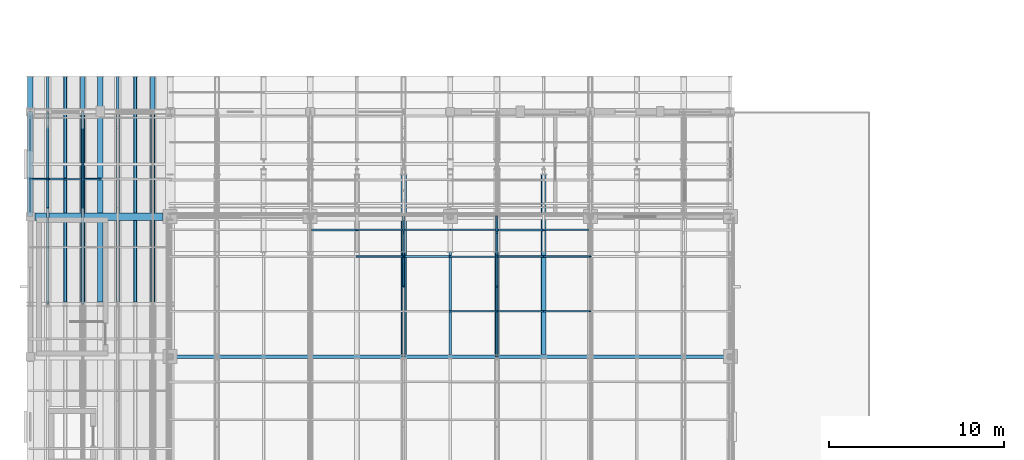
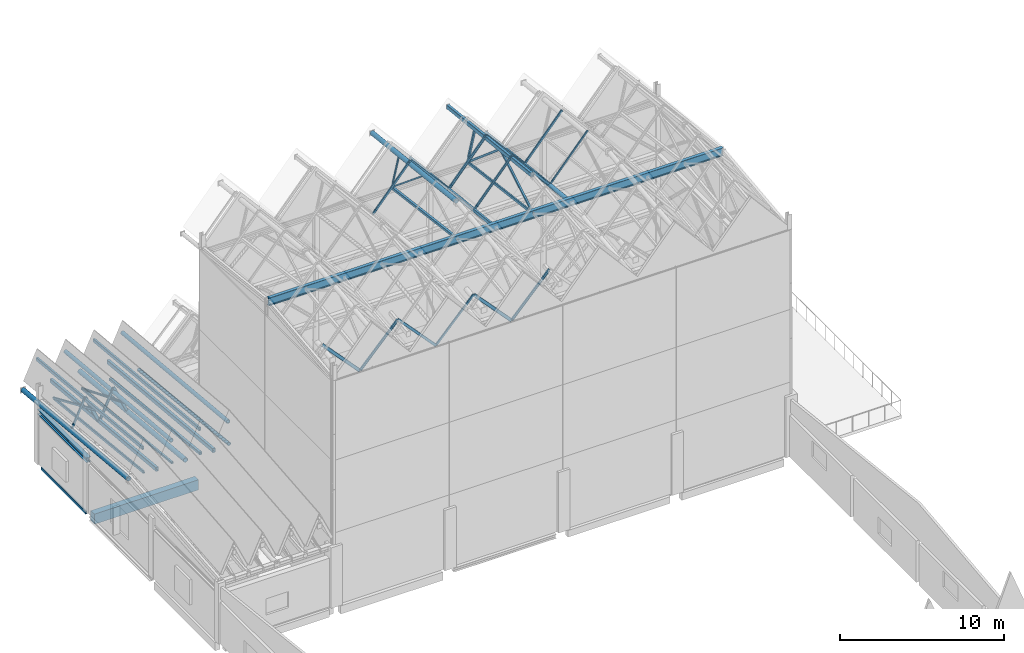
# One storey, part 11 of 48: 31 members, 16 beams.
"""IFC4 building model written with IfcOpenShell, lengths in metres."""

from ifc_helpers import new_model, si_unit, direction, frame, origin, origin_2d, place, context, subcontext, project, spatial, rectangle, hollow_rectangle, hollow_circle, i_section, extrude, material, material_profile, profile_set, type_object, element, save


model = new_model("IFC4")

# Units and contexts
model_context = context("Model", 3, precision=1e-05, world=origin(), true_north=direction((0.0, 1.0)))
body_context = subcontext(model_context, "Body", "Model", "MODEL_VIEW")
ifc_project = project(units=[si_unit("LENGTHUNIT", "METRE"), si_unit("AREAUNIT", "SQUARE_METRE"), si_unit("VOLUMEUNIT", "CUBIC_METRE"), si_unit("PLANEANGLEUNIT", "RADIAN"), si_unit("MASSUNIT", "GRAM", prefix="KILO")], contexts=[model_context])

# Site, building, storey
site_placement = place(None, origin())
site = spatial("IfcSite", under=ifc_project, at=site_placement, CompositionType="ELEMENT")
building_placement = place(site_placement, origin())
building = spatial("IfcBuilding", under=site, at=building_placement, Name="Luwemba Playhouse", CompositionType="ELEMENT")
storey_placement = place(building_placement, frame((0.0, 0.0, 13.800048828125)))
storey = spatial("IfcBuildingStorey", under=building, at=storey_placement, Name="L03", CompositionType="ELEMENT", Elevation=13.800048828125)

# Beams
ifc_material_1 = material(Name="Concrete C40/50", Category="concrete")
ifc_material_profile_1 = material_profile(ifc_material_1, rectangle(XDim=0.449951171875, YDim=0.75, at=origin_2d()))
ifc_profile_set_1 = profile_set([ifc_material_profile_1], Name="Concrete C40/50")
beam_type_1 = type_object("IfcBeamType", Name="BM-RB04", PredefinedType="BEAM", material=ifc_profile_set_1)
beam_1_placement = place(storey_placement, frame((4.27490234375, 84.0, -0.60498046875), z_axis=(1.0, 0.0, 0.0), x_axis=(0.0, 1.0, 0.0)))
element("IfcBeam", 1, at=beam_1_placement, inside=storey, type_object=beam_type_1, Name="L03 grid girder 0835", PredefinedType="BEAM", context=body_context, shape_type="SweptSolid", body=[
    extrude(rectangle(XDim=0.449951171875, YDim=0.75, at=origin_2d()), origin(), (0.0, 0.0, 1.0), 7.3251953125),
])
ifc_material_2 = material(Name="Steel S355", Category="steel")
ifc_material_profile_2 = material_profile(ifc_material_2, hollow_rectangle(XDim=0.14990234375, YDim=0.25, WallThickness=0.010009765625, InnerFilletRadius=0.014892578125, OuterFilletRadius=0.02490234375, at=origin_2d()))
ifc_profile_set_2 = profile_set([ifc_material_profile_2], Name="Steel S355")
beam_type_2 = type_object("IfcBeamType", Name="BM-RTG1", PredefinedType="USERDEFINED", material=ifc_profile_set_2)
beam_2_placement = place(storey_placement, frame((28.0, 76.110107421875, 17.52294921875), z_axis=(0.0, 0.993769338701, -0.111456275987), x_axis=(-1.0, 0.0, 0.0)))
element("IfcBeam", 2, at=beam_2_placement, inside=storey, type_object=beam_type_2, Name="ROOF TRUSS valley girder 0068", ObjectType="ROOF TRUSS", PredefinedType="USERDEFINED", context=body_context, shape_type="SweptSolid", body=[
    extrude(hollow_rectangle(XDim=0.14990234375, YDim=0.25, WallThickness=0.010009765625, InnerFilletRadius=0.014892578125, OuterFilletRadius=0.02490234375, at=origin_2d()), origin(), (0.0, 0.0, 1.0), 10.354248046875),
])
for number, where, z_axis, x_axis, name in (
    (3, (5.0, 79.110107421875, 7.28466796875), (0.0, 0.995693122588, -0.092710331849), (-1.0, 0.0, 0.0), "ROOF TRUSS ridge girder 0095"),
    (4, (9.0, 79.110107421875, 7.28466796875), (0.0, 0.995693122588, -0.092710331849), (-1.0, 0.0, 0.0), "ROOF TRUSS ridge girder 0103"),
):
    element("IfcBeam", number, at=place(storey_placement, frame(where, z_axis=z_axis, x_axis=x_axis)), inside=storey, type_object=beam_type_2, Name=name, ObjectType="ROOF TRUSS", PredefinedType="USERDEFINED", context=body_context, shape_type="SweptSolid", body=[
        extrude(hollow_rectangle(XDim=0.14990234375, YDim=0.25, WallThickness=0.010009765625, InnerFilletRadius=0.014892578125, OuterFilletRadius=0.02490234375, at=origin_2d()), origin(), (0.0, 0.0, 1.0), 12.945556640625),
    ])
ifc_material_profile_3 = material_profile(ifc_material_2, hollow_rectangle(XDim=0.199951171875, YDim=0.300048828125, WallThickness=0.012451171875, InnerFilletRadius=0.018798828125, OuterFilletRadius=0.03125, at=origin_2d()))
ifc_profile_set_3 = profile_set([ifc_material_profile_3], Name="Steel S355")
beam_type_3 = type_object("IfcBeamType", Name="BM-RTG2", PredefinedType="USERDEFINED", material=ifc_profile_set_3)
beam_3_placement = place(storey_placement, frame((30.666748046875, 76.110107421875, 20.427734375), z_axis=(0.0, 0.993769338701, -0.111456275987), x_axis=(-1.0, 0.0, 0.0)))
element("IfcBeam", 5, at=beam_3_placement, inside=storey, type_object=beam_type_3, Name="ROOF TRUSS ridge girder 0070", ObjectType="ROOF TRUSS", PredefinedType="USERDEFINED", context=body_context, shape_type="SweptSolid", body=[
    extrude(hollow_rectangle(XDim=0.199951171875, YDim=0.300048828125, WallThickness=0.012451171875, InnerFilletRadius=0.018798828125, OuterFilletRadius=0.03125, at=origin_2d()), origin(), (0.0, 0.0, 1.0), 10.354248046875),
])
for number, where, z_axis, x_axis, name in (
    (6, (6.0, 79.110107421875, 5.34375), (0.0, 0.995694863299, -0.092691635), (-1.0, 0.0, 0.0), "ROOF TRUSS valley girder 0097"),
    (7, (10.0, 79.110107421875, 5.34375), (0.0, 0.995694863299, -0.092691635), (-1.0, 0.0, 0.0), "ROOF TRUSS valley girder 0105"),
):
    element("IfcBeam", number, at=place(storey_placement, frame(where, z_axis=z_axis, x_axis=x_axis)), inside=storey, type_object=beam_type_3, Name=name, ObjectType="ROOF TRUSS", PredefinedType="USERDEFINED", context=body_context, shape_type="SweptSolid", body=[
        extrude(hollow_rectangle(XDim=0.199951171875, YDim=0.300048828125, WallThickness=0.012451171875, InnerFilletRadius=0.018798828125, OuterFilletRadius=0.03125, at=origin_2d()), origin(), (0.0, 0.0, 1.0), 12.945556640625),
    ])
ifc_material_profile_4 = material_profile(ifc_material_2, hollow_circle(Radius=0.136474609375, WallThickness=0.012451171875, at=origin_2d()))
ifc_profile_set_4 = profile_set([ifc_material_profile_4], Name="Steel S355")
beam_type_4 = type_object("IfcBeamType", Name="BM-RTG3", PredefinedType="USERDEFINED", material=ifc_profile_set_4)
beam_4_placement = place(storey_placement, frame((33.333251953125, 76.110107421875, 17.511474609375), z_axis=(0.0, 0.993769338701, -0.111456275987), x_axis=(-1.0, 0.0, 0.0)))
element("IfcBeam", 8, at=beam_4_placement, inside=storey, type_object=beam_type_4, Name="ROOF TRUSS valley girder 0072", ObjectType="ROOF TRUSS", PredefinedType="USERDEFINED", context=body_context, shape_type="SweptSolid", body=[
    extrude(hollow_circle(Radius=0.136474609375, WallThickness=0.012451171875, at=origin_2d()), origin(), (0.0, 0.0, 1.0), 10.354248046875),
])
for number, where, z_axis, x_axis, name in (
    (9, (7.0, 79.110107421875, 7.13916015625), (0.0, 0.995694863299, -0.092691635), (-1.0, 0.0, 0.0), "ROOF TRUSS ridge girder 0099"),
    (10, (11.0, 79.110107421875, 7.13916015625), (0.0, 0.995694863299, -0.092691635), (-1.0, 0.0, 0.0), "ROOF TRUSS ridge girder 0107"),
):
    element("IfcBeam", number, at=place(storey_placement, frame(where, z_axis=z_axis, x_axis=x_axis)), inside=storey, type_object=beam_type_4, Name=name, ObjectType="ROOF TRUSS", PredefinedType="USERDEFINED", context=body_context, shape_type="SweptSolid", body=[
        extrude(hollow_circle(Radius=0.136474609375, WallThickness=0.012451171875, at=origin_2d()), origin(), (0.0, 0.0, 1.0), 12.945556640625),
    ])
ifc_material_profile_5 = material_profile(ifc_material_2, hollow_circle(Radius=0.161865234375, WallThickness=0.01611328125, at=origin_2d()))
ifc_profile_set_5 = profile_set([ifc_material_profile_5], Name="Steel S355")
beam_type_5 = type_object("IfcBeamType", Name="BM-RTG4", PredefinedType="USERDEFINED", material=ifc_profile_set_5)
beam_5_placement = place(storey_placement, frame((25.333251953125, 76.110107421875, 20.34375), z_axis=(0.0, 0.993769338701, -0.111456275987), x_axis=(-1.0, 0.0, 0.0)))
element("IfcBeam", 11, at=beam_5_placement, inside=storey, type_object=beam_type_5, Name="ROOF TRUSS ridge girder 0066", ObjectType="ROOF TRUSS", PredefinedType="USERDEFINED", context=body_context, shape_type="SweptSolid", body=[
    extrude(hollow_circle(Radius=0.161865234375, WallThickness=0.01611328125, at=origin_2d()), origin(), (0.0, 0.0, 1.0), 10.354248046875),
])
for number, where, z_axis, x_axis, name in (
    (12, (4.0, 79.110107421875, 5.331787109375), (0.0, 0.995694863299, -0.092691635), (-1.0, 0.0, 0.0), "ROOF TRUSS valley girder 0093"),
    (13, (8.0, 79.110107421875, 5.331787109375), (0.0, 0.995694863299, -0.092691635), (-1.0, 0.0, 0.0), "ROOF TRUSS valley girder 0101"),
):
    element("IfcBeam", number, at=place(storey_placement, frame(where, z_axis=z_axis, x_axis=x_axis)), inside=storey, type_object=beam_type_5, Name=name, ObjectType="ROOF TRUSS", PredefinedType="USERDEFINED", context=body_context, shape_type="SweptSolid", body=[
        extrude(hollow_circle(Radius=0.161865234375, WallThickness=0.01611328125, at=origin_2d()), origin(), (0.0, 0.0, 1.0), 12.945556640625),
    ])
ifc_material_profile_6 = material_profile(ifc_material_2, i_section(OverallWidth=0.219970703125, OverallDepth=0.60009765625, WebThickness=0.011962890625, FlangeThickness=0.01904296875, FilletRadius=0.02392578125, at=origin_2d()))
ifc_profile_set_6 = profile_set([ifc_material_profile_6], Name="Steel S355")
beam_type_6 = type_object("IfcBeamType", Name="BM-SB08", PredefinedType="BEAM", material=ifc_profile_set_6)
beam_6_placement = place(storey_placement, frame((12.0, 76.0, 17.6171875), z_axis=(1.0, 0.0, 0.0), x_axis=(0.0, 1.0, 0.0)))
element("IfcBeam", 14, at=beam_6_placement, inside=storey, type_object=beam_type_6, Name="RF-V2-FLY central ridge spine girder 0054", PredefinedType="BEAM", context=body_context, shape_type="SweptSolid", body=[
    extrude(i_section(OverallWidth=0.219970703125, OverallDepth=0.60009765625, WebThickness=0.011962890625, FlangeThickness=0.01904296875, FilletRadius=0.02392578125, at=origin_2d()), origin(), (0.0, 0.0, 1.0), 32.0),
])
ifc_material_profile_7 = material_profile(ifc_material_2, i_section(OverallWidth=0.300048828125, OverallDepth=0.360107421875, WebThickness=0.012451171875, FlangeThickness=0.0224609375, FilletRadius=0.027099609375, at=origin_2d()))
ifc_profile_set_7 = profile_set([ifc_material_profile_7], Name="Steel S355")
beam_type_7 = type_object("IfcBeamType", Name="BM-SB09", PredefinedType="BEAM", material=ifc_profile_set_7)
beam_7_placement = place(storey_placement, frame((4.0, 84.0, 3.780029296875), z_axis=(0.0, 1.0, 0.0), x_axis=(-1.0, 0.0, 0.0)))
element("IfcBeam", 15, at=beam_7_placement, inside=storey, type_object=beam_type_7, Name="RF-V2-LOW gable ring beam 0085", PredefinedType="BEAM", context=body_context, shape_type="SweptSolid", body=[
    extrude(i_section(OverallWidth=0.300048828125, OverallDepth=0.360107421875, WebThickness=0.012451171875, FlangeThickness=0.0224609375, FilletRadius=0.027099609375, at=origin_2d()), origin(), (0.0, 0.0, 1.0), 6.0),
])
ifc_material_profile_8 = material_profile(ifc_material_2, hollow_rectangle(XDim=0.10009765625, YDim=0.199951171875, WallThickness=0.008056640625, InnerFilletRadius=0.011962890625, OuterFilletRadius=0.02001953125, at=origin_2d()))
ifc_profile_set_8 = profile_set([ifc_material_profile_8], Name="Steel S355")
beam_type_8 = type_object("IfcBeamType", Name="BM-SSP2", PredefinedType="SPANDREL", material=ifc_profile_set_8)
beam_8_placement = place(storey_placement, frame((4.0, 84.27490234375, -0.330078125), z_axis=(0.0, 1.0, 0.0), x_axis=(-1.0, 0.0, 0.0)))
element("IfcBeam", 16, at=beam_8_placement, inside=storey, type_object=beam_type_8, Name="L03 transverse girder 0847", PredefinedType="SPANDREL", context=body_context, shape_type="SweptSolid", body=[
    extrude(hollow_rectangle(XDim=0.10009765625, YDim=0.199951171875, WallThickness=0.008056640625, InnerFilletRadius=0.011962890625, OuterFilletRadius=0.02001953125, at=origin_2d()), origin(), (0.0, 0.0, 1.0), 5.4501953125),
])

# Members
ifc_material_profile_9 = material_profile(ifc_material_2, hollow_circle(Radius=0.084228515625, WallThickness=0.008056640625, at=origin_2d()))
ifc_profile_set_9 = profile_set([ifc_material_profile_9], Name="Steel S355")
member_type_1 = type_object("IfcMemberType", Name="MEM-MB02", PredefinedType="BRACE", material=ifc_profile_set_9)
member_1_placement = place(storey_placement, frame((7.0, 90.0, 4.39990234375), z_axis=(0.0, -0.926280076389, 0.376835799898), x_axis=(1.0, 0.0, 0.0)))
element("IfcMember", 17, at=member_1_placement, inside=storey, type_object=member_type_1, Name="ROOF TRUSS web diagonal 0090", PredefinedType="BRACE", context=body_context, shape_type="SweptSolid", body=[
    extrude(hollow_circle(Radius=0.084228515625, WallThickness=0.008056640625, at=origin_2d()), origin(), (0.0, 0.0, 1.0), 5.937744140625),
])
ifc_material_profile_10 = material_profile(ifc_material_2, hollow_rectangle(XDim=0.10009765625, YDim=0.10009765625, WallThickness=0.00634765625, InnerFilletRadius=0.009521484375, OuterFilletRadius=0.015869140625, at=origin_2d()))
ifc_profile_set_10 = profile_set([ifc_material_profile_10], Name="Steel S355")
member_type_2 = type_object("IfcMemberType", Name="MEM-MB05", PredefinedType="BRACE", material=ifc_profile_set_10)
member_2_placement = place(storey_placement, frame((25.333251953125, 84.0, 16.599853515625), z_axis=(0.0, -0.770652379967, 0.637255764392), x_axis=(1.0, 0.0, 0.0)))
element("IfcMember", 18, at=member_2_placement, inside=storey, type_object=member_type_2, Name="ROOF TRUSS web diagonal 0060", PredefinedType="BRACE", context=body_context, shape_type="SweptSolid", body=[
    extrude(hollow_rectangle(XDim=0.10009765625, YDim=0.10009765625, WallThickness=0.00634765625, InnerFilletRadius=0.009521484375, OuterFilletRadius=0.015869140625, at=origin_2d()), origin(), (0.0, 0.0, 1.0), 5.1904296875),
])
member_3_placement = place(storey_placement, frame((25.333251953125, 84.0, 16.599853515625), z_axis=(0.0, -0.29087898527, 0.956759852799), x_axis=(1.0, 0.0, 0.0)))
element("IfcMember", 19, at=member_3_placement, inside=storey, type_object=member_type_2, Name="ROOF TRUSS eave knee strut 0010", PredefinedType="BRACE", context=body_context, shape_type="SweptSolid", body=[
    extrude(hollow_rectangle(XDim=0.10009765625, YDim=0.10009765625, WallThickness=0.00634765625, InnerFilletRadius=0.009521484375, OuterFilletRadius=0.015869140625, at=origin_2d()), origin(), (0.0, 0.0, 1.0), 3.09375),
])
ifc_material_profile_11 = material_profile(ifc_material_2, hollow_rectangle(XDim=0.139892578125, YDim=0.139892578125, WallThickness=0.008056640625, InnerFilletRadius=0.011962890625, OuterFilletRadius=0.02001953125, at=origin_2d()))
ifc_profile_set_11 = profile_set([ifc_material_profile_11], Name="Steel S355")
member_type_3 = type_object("IfcMemberType", Name="MEM-MB07", PredefinedType="BRACE", material=ifc_profile_set_11)
member_4_placement = place(storey_placement, frame((30.666748046875, 76.0, 17.6171875), z_axis=(0.0, 0.859923857773, 0.510422333792), x_axis=(-1.0, 0.0, 0.0)))
element("IfcMember", 20, at=member_4_placement, inside=storey, type_object=member_type_3, Name="ROOF TRUSS web diagonal 0065", PredefinedType="BRACE", context=body_context, shape_type="SweptSolid", body=[
    extrude(hollow_rectangle(XDim=0.139892578125, YDim=0.139892578125, WallThickness=0.008056640625, InnerFilletRadius=0.011962890625, OuterFilletRadius=0.02001953125, at=origin_2d()), origin(), (0.0, 0.0, 1.0), 4.651611328125),
])
member_5_placement = place(storey_placement, frame((30.666748046875, 84.0, 16.599853515625), z_axis=(0.0, -0.762729007744, 0.646718223607), x_axis=(1.0, 0.0, 0.0)))
element("IfcMember", 21, at=member_5_placement, inside=storey, type_object=member_type_3, Name="ROOF TRUSS web diagonal 0066", PredefinedType="BRACE", context=body_context, shape_type="SweptSolid", body=[
    extrude(hollow_rectangle(XDim=0.139892578125, YDim=0.139892578125, WallThickness=0.008056640625, InnerFilletRadius=0.011962890625, OuterFilletRadius=0.02001953125, at=origin_2d()), origin(), (0.0, 0.0, 1.0), 5.244384765625),
])
member_6_placement = place(storey_placement, frame((30.666748046875, 84.0, 16.599853515625), z_axis=(0.0, -0.283506908472, 0.958970193931), x_axis=(1.0, 0.0, 0.0)))
element("IfcMember", 22, at=member_6_placement, inside=storey, type_object=member_type_3, Name="ROOF TRUSS eave knee strut 0011", PredefinedType="BRACE", context=body_context, shape_type="SweptSolid", body=[
    extrude(hollow_rectangle(XDim=0.139892578125, YDim=0.139892578125, WallThickness=0.008056640625, InnerFilletRadius=0.011962890625, OuterFilletRadius=0.02001953125, at=origin_2d()), origin(), (0.0, 0.0, 1.0), 3.174072265625),
])
member_7_placement = place(storey_placement, frame((5.0, 90.0, 4.39990234375), z_axis=(0.0, -0.917587323206, 0.39753428065), x_axis=(1.0, 0.0, 0.0)))
element("IfcMember", 23, at=member_7_placement, inside=storey, type_object=member_type_3, Name="ROOF TRUSS web diagonal 0084", PredefinedType="BRACE", context=body_context, shape_type="SweptSolid", body=[
    extrude(hollow_rectangle(XDim=0.139892578125, YDim=0.139892578125, WallThickness=0.008056640625, InnerFilletRadius=0.011962890625, OuterFilletRadius=0.02001953125, at=origin_2d()), origin(), (0.0, 0.0, 1.0), 5.993896484375),
])
ifc_material_profile_12 = material_profile(ifc_material_2, hollow_circle(Radius=0.122314453125, WallThickness=0.012451171875, at=origin_2d()))
ifc_profile_set_12 = profile_set([ifc_material_profile_12], Name="Steel S355")
member_type_4 = type_object("IfcMemberType", Name="MEM-MC01", PredefinedType="CHORD", material=ifc_profile_set_12)
member_8_placement = place(storey_placement, frame((11.0, 79.0, 5.5439453125), z_axis=(0.0, 0.994635078236, -0.10344593343), x_axis=(-1.0, 0.0, 0.0)))
element("IfcMember", 24, at=member_8_placement, inside=storey, type_object=member_type_4, Name="ROOF TRUSS north bottom chord 0098", PredefinedType="CHORD", context=body_context, shape_type="SweptSolid", body=[
    extrude(hollow_circle(Radius=0.122314453125, WallThickness=0.012451171875, at=origin_2d()), origin(), (0.0, 0.0, 1.0), 11.059326171875),
])
ifc_material_profile_13 = material_profile(ifc_material_2, hollow_rectangle(XDim=0.14990234375, YDim=0.14990234375, WallThickness=0.010009765625, InnerFilletRadius=0.014892578125, OuterFilletRadius=0.02490234375, at=origin_2d()))
ifc_profile_set_13 = profile_set([ifc_material_profile_13], Name="Steel S355")
member_type_5 = type_object("IfcMemberType", Name="MEM-MC02", PredefinedType="CHORD", material=ifc_profile_set_13)
member_9_placement = place(storey_placement, frame((7.0, 79.0, 5.5439453125), z_axis=(0.0, 0.994635078236, -0.10344593343), x_axis=(-1.0, 0.0, 0.0)))
element("IfcMember", 25, at=member_9_placement, inside=storey, type_object=member_type_5, Name="ROOF TRUSS north bottom chord 0086", PredefinedType="CHORD", context=body_context, shape_type="SweptSolid", body=[
    extrude(hollow_rectangle(XDim=0.14990234375, YDim=0.14990234375, WallThickness=0.010009765625, InnerFilletRadius=0.014892578125, OuterFilletRadius=0.02490234375, at=origin_2d()), origin(), (0.0, 0.0, 1.0), 11.059326171875),
])
ifc_material_profile_14 = material_profile(ifc_material_2, hollow_rectangle(XDim=0.179931640625, YDim=0.179931640625, WallThickness=0.010009765625, InnerFilletRadius=0.014892578125, OuterFilletRadius=0.02490234375, at=origin_2d()))
ifc_profile_set_14 = profile_set([ifc_material_profile_14], Name="Steel S355")
member_type_6 = type_object("IfcMemberType", Name="MEM-MC03", PredefinedType="CHORD", material=ifc_profile_set_14)
member_10_placement = place(storey_placement, frame((25.333251953125, 76.0, 17.6171875), z_axis=(0.0, 0.99201107355, -0.12615082225), x_axis=(-1.0, 0.0, 0.0)))
element("IfcMember", 26, at=member_10_placement, inside=storey, type_object=member_type_6, Name="ROOF TRUSS north bottom chord 0056", PredefinedType="CHORD", context=body_context, shape_type="SweptSolid", body=[
    extrude(hollow_rectangle(XDim=0.179931640625, YDim=0.179931640625, WallThickness=0.010009765625, InnerFilletRadius=0.014892578125, OuterFilletRadius=0.02490234375, at=origin_2d()), origin(), (0.0, 0.0, 1.0), 8.064453125),
])
ifc_material_profile_15 = material_profile(ifc_material_2, hollow_rectangle(XDim=0.199951171875, YDim=0.199951171875, WallThickness=0.012451171875, InnerFilletRadius=0.018798828125, OuterFilletRadius=0.03125, at=origin_2d()))
ifc_profile_set_15 = profile_set([ifc_material_profile_15], Name="Steel S355")
member_type_7 = type_object("IfcMemberType", Name="MEM-MC04", PredefinedType="CHORD", material=ifc_profile_set_15)
member_11_placement = place(storey_placement, frame((9.0, 79.0, 5.5439453125), z_axis=(0.0, 0.994635078236, -0.10344593343), x_axis=(-1.0, 0.0, 0.0)))
element("IfcMember", 27, at=member_11_placement, inside=storey, type_object=member_type_7, Name="ROOF TRUSS north bottom chord 0092", PredefinedType="CHORD", context=body_context, shape_type="SweptSolid", body=[
    extrude(hollow_rectangle(XDim=0.199951171875, YDim=0.199951171875, WallThickness=0.012451171875, InnerFilletRadius=0.018798828125, OuterFilletRadius=0.03125, at=origin_2d()), origin(), (0.0, 0.0, 1.0), 11.059326171875),
])
ifc_material_profile_16 = material_profile(ifc_material_2, hollow_rectangle(XDim=0.1201171875, YDim=0.199951171875, WallThickness=0.010009765625, InnerFilletRadius=0.014892578125, OuterFilletRadius=0.02490234375, at=origin_2d()))
ifc_profile_set_16 = profile_set([ifc_material_profile_16], Name="Steel S355")
member_type_8 = type_object("IfcMemberType", Name="MEM-MC05", PredefinedType="CHORD", material=ifc_profile_set_16)
member_12_placement = place(storey_placement, frame((30.666748046875, 76.0, 17.6171875), z_axis=(0.0, 0.99201107355, -0.12615082225), x_axis=(-1.0, 0.0, 0.0)))
element("IfcMember", 28, at=member_12_placement, inside=storey, type_object=member_type_8, Name="ROOF TRUSS north bottom chord 0062", PredefinedType="CHORD", context=body_context, shape_type="SweptSolid", body=[
    extrude(hollow_rectangle(XDim=0.1201171875, YDim=0.199951171875, WallThickness=0.010009765625, InnerFilletRadius=0.014892578125, OuterFilletRadius=0.02490234375, at=origin_2d()), origin(), (0.0, 0.0, 1.0), 8.064453125),
])
member_13_placement = place(storey_placement, frame((5.0, 79.0, 5.5439453125), z_axis=(0.0, 0.994635078236, -0.10344593343), x_axis=(-1.0, 0.0, 0.0)))
element("IfcMember", 29, at=member_13_placement, inside=storey, type_object=member_type_8, Name="ROOF TRUSS north bottom chord 0080", PredefinedType="CHORD", context=body_context, shape_type="SweptSolid", body=[
    extrude(hollow_rectangle(XDim=0.1201171875, YDim=0.199951171875, WallThickness=0.010009765625, InnerFilletRadius=0.014892578125, OuterFilletRadius=0.02490234375, at=origin_2d()), origin(), (0.0, 0.0, 1.0), 11.059326171875),
])
ifc_material_profile_17 = material_profile(ifc_material_2, hollow_rectangle(XDim=0.080078125, YDim=0.1201171875, WallThickness=0.00634765625, InnerFilletRadius=0.009521484375, OuterFilletRadius=0.015869140625, at=origin_2d()))
ifc_profile_set_17 = profile_set([ifc_material_profile_17], Name="Steel S355")
member_type_9 = type_object("IfcMemberType", Name="MEM-MP01", PredefinedType="PURLIN", material=ifc_profile_set_17)
member_14_placement = place(storey_placement, frame((33.333251953125, 78.60009765625, 17.26708984375), z_axis=(0.651808038275, 0.0, 0.758383993265), x_axis=(0.0, 1.0, 0.0)))
element("IfcMember", 30, at=member_14_placement, inside=storey, type_object=member_type_9, Name="Pleated roof purlin 0136", PredefinedType="PURLIN", context=body_context, shape_type="SweptSolid", body=[
    extrude(hollow_rectangle(XDim=0.080078125, YDim=0.1201171875, WallThickness=0.00634765625, InnerFilletRadius=0.009521484375, OuterFilletRadius=0.015869140625, at=origin_2d()), origin(), (0.0, 0.0, 1.0), 4.09130859375),
])
ifc_material_profile_18 = material_profile(ifc_material_2, hollow_rectangle(XDim=0.10009765625, YDim=0.14990234375, WallThickness=0.008056640625, InnerFilletRadius=0.011962890625, OuterFilletRadius=0.02001953125, at=origin_2d()))
ifc_profile_set_18 = profile_set([ifc_material_profile_18], Name="Steel S355")
member_type_10 = type_object("IfcMemberType", Name="MEM-MP02", PredefinedType="PURLIN", material=ifc_profile_set_18)
member_15_placement = place(storey_placement, frame((22.666748046875, 81.719970703125, 16.890625), z_axis=(0.651803214757, 0.0, 0.758388138906), x_axis=(0.0, 1.0, 0.0)))
element("IfcMember", 31, at=member_15_placement, inside=storey, type_object=member_type_10, Name="Pleated roof purlin 0113", PredefinedType="PURLIN", context=body_context, shape_type="SweptSolid", body=[
    extrude(hollow_rectangle(XDim=0.10009765625, YDim=0.14990234375, WallThickness=0.008056640625, InnerFilletRadius=0.011962890625, OuterFilletRadius=0.02001953125, at=origin_2d()), origin(), (0.0, 0.0, 1.0), 4.091064453125),
])
member_16_placement = place(storey_placement, frame((33.333251953125, 81.719970703125, 16.890625), z_axis=(0.651808038275, 0.0, 0.758383993265), x_axis=(0.0, 1.0, 0.0)))
element("IfcMember", 32, at=member_16_placement, inside=storey, type_object=member_type_10, Name="Pleated roof purlin 0137", PredefinedType="PURLIN", context=body_context, shape_type="SweptSolid", body=[
    extrude(hollow_rectangle(XDim=0.10009765625, YDim=0.14990234375, WallThickness=0.008056640625, InnerFilletRadius=0.011962890625, OuterFilletRadius=0.02001953125, at=origin_2d()), origin(), (0.0, 0.0, 1.0), 4.09130859375),
])
member_17_placement = place(storey_placement, frame((4.0, 86.14990234375, 4.65966796875), z_axis=(0.417609380126, 0.0, 0.908626659102), x_axis=(0.0, 1.0, 0.0)))
element("IfcMember", 33, at=member_17_placement, inside=storey, type_object=member_type_10, Name="Pleated roof purlin 0161", PredefinedType="PURLIN", context=body_context, shape_type="SweptSolid", body=[
    extrude(hollow_rectangle(XDim=0.10009765625, YDim=0.14990234375, WallThickness=0.008056640625, InnerFilletRadius=0.011962890625, OuterFilletRadius=0.02001953125, at=origin_2d()), origin(), (0.0, 0.0, 1.0), 2.39453125),
])
member_18_placement = place(storey_placement, frame((28.0, 83.25, 4.3671875), z_axis=(0.681515329976, 0.0, 0.731803836426), x_axis=(0.0, 1.0, 0.0)))
element("IfcMember", 34, at=member_18_placement, inside=storey, type_object=member_type_10, Name="Pleated roof purlin 0241", PredefinedType="PURLIN", context=body_context, shape_type="SweptSolid", body=[
    extrude(hollow_rectangle(XDim=0.10009765625, YDim=0.14990234375, WallThickness=0.008056640625, InnerFilletRadius=0.011962890625, OuterFilletRadius=0.02001953125, at=origin_2d()), origin(), (0.0, 0.0, 1.0), 3.9130859375),
])
ifc_material_profile_19 = material_profile(ifc_material_2, hollow_rectangle(XDim=0.080078125, YDim=0.159912109375, WallThickness=0.00634765625, InnerFilletRadius=0.009521484375, OuterFilletRadius=0.015869140625, at=origin_2d()))
ifc_profile_set_19 = profile_set([ifc_material_profile_19], Name="Steel S355")
member_type_11 = type_object("IfcMemberType", Name="MEM-MP03", PredefinedType="PURLIN", material=ifc_profile_set_19)
member_19_placement = place(storey_placement, frame((30.666748046875, 78.60009765625, 20.349853515625), z_axis=(0.651803214757, 0.0, -0.758388138906), x_axis=(0.0, 1.0, 0.0)))
element("IfcMember", 35, at=member_19_placement, inside=storey, type_object=member_type_11, Name="Pleated roof purlin 0130", PredefinedType="PURLIN", context=body_context, shape_type="SweptSolid", body=[
    extrude(hollow_rectangle(XDim=0.080078125, YDim=0.159912109375, WallThickness=0.00634765625, InnerFilletRadius=0.009521484375, OuterFilletRadius=0.015869140625, at=origin_2d()), origin(), (0.0, 0.0, 1.0), 4.091064453125),
])
ifc_material_profile_20 = material_profile(ifc_material_2, hollow_rectangle(XDim=0.10009765625, YDim=0.179931640625, WallThickness=0.008056640625, InnerFilletRadius=0.011962890625, OuterFilletRadius=0.02001953125, at=origin_2d()))
ifc_profile_set_20 = profile_set([ifc_material_profile_20], Name="Steel S355")
member_type_12 = type_object("IfcMemberType", Name="MEM-MP04", PredefinedType="PURLIN", material=ifc_profile_set_20)
member_20_placement = place(storey_placement, frame((30.666748046875, 81.719970703125, 19.978271484375), z_axis=(0.651803214757, 0.0, -0.758388138906), x_axis=(0.0, 1.0, 0.0)))
element("IfcMember", 36, at=member_20_placement, inside=storey, type_object=member_type_12, Name="Pleated roof purlin 0131", PredefinedType="PURLIN", context=body_context, shape_type="SweptSolid", body=[
    extrude(hollow_rectangle(XDim=0.10009765625, YDim=0.179931640625, WallThickness=0.008056640625, InnerFilletRadius=0.011962890625, OuterFilletRadius=0.02001953125, at=origin_2d()), origin(), (0.0, 0.0, 1.0), 4.091064453125),
])
member_21_placement = place(storey_placement, frame((7.0, 86.14990234375, 6.820556640625), z_axis=(0.417570696245, 0.0, -0.908644437411), x_axis=(0.0, 1.0, 0.0)))
element("IfcMember", 37, at=member_21_placement, inside=storey, type_object=member_type_12, Name="Pleated roof purlin 0179", PredefinedType="PURLIN", context=body_context, shape_type="SweptSolid", body=[
    extrude(hollow_rectangle(XDim=0.10009765625, YDim=0.179931640625, WallThickness=0.008056640625, InnerFilletRadius=0.011962890625, OuterFilletRadius=0.02001953125, at=origin_2d()), origin(), (0.0, 0.0, 1.0), 2.394775390625),
])
member_22_placement = place(storey_placement, frame((25.333251953125, 83.25, 7.2158203125), z_axis=(0.681515329976, 0.0, -0.731803836426), x_axis=(0.0, 1.0, 0.0)))
element("IfcMember", 38, at=member_22_placement, inside=storey, type_object=member_type_12, Name="Pleated roof purlin 0235", PredefinedType="PURLIN", context=body_context, shape_type="SweptSolid", body=[
    extrude(hollow_rectangle(XDim=0.10009765625, YDim=0.179931640625, WallThickness=0.008056640625, InnerFilletRadius=0.011962890625, OuterFilletRadius=0.02001953125, at=origin_2d()), origin(), (0.0, 0.0, 1.0), 3.9130859375),
])
ifc_material_profile_21 = material_profile(ifc_material_2, i_section(OverallWidth=0.08203125, OverallDepth=0.159912109375, WebThickness=0.0048828125, FlangeThickness=0.00732421875, FilletRadius=0.009033203125, at=origin_2d()))
ifc_profile_set_21 = profile_set([ifc_material_profile_21], Name="Steel S355")
member_type_13 = type_object("IfcMemberType", Name="MEM-MP05", PredefinedType="PURLIN", material=ifc_profile_set_21)
member_23_placement = place(storey_placement, frame((28.0, 78.60009765625, 17.24609375), z_axis=(0.651837536714, 0.0, 0.758358639253), x_axis=(0.0, 1.0, 0.0)))
element("IfcMember", 39, at=member_23_placement, inside=storey, type_object=member_type_13, Name="Pleated roof purlin 0124", PredefinedType="PURLIN", context=body_context, shape_type="SweptSolid", body=[
    extrude(i_section(OverallWidth=0.08203125, OverallDepth=0.159912109375, WebThickness=0.0048828125, FlangeThickness=0.00732421875, FilletRadius=0.009033203125, at=origin_2d()), origin(), (0.0, 0.0, 1.0), 4.091064453125),
])
ifc_material_profile_22 = material_profile(ifc_material_2, i_section(OverallWidth=0.091064453125, OverallDepth=0.179931640625, WebThickness=0.00537109375, FlangeThickness=0.008056640625, FilletRadius=0.009033203125, at=origin_2d()))
ifc_profile_set_22 = profile_set([ifc_material_profile_22], Name="Steel S355")
member_type_14 = type_object("IfcMemberType", Name="MEM-MP06", PredefinedType="PURLIN", material=ifc_profile_set_22)
member_24_placement = place(storey_placement, frame((28.0, 81.719970703125, 16.880859375), z_axis=(0.651808038275, 0.0, 0.758383993265), x_axis=(0.0, 1.0, 0.0)))
element("IfcMember", 40, at=member_24_placement, inside=storey, type_object=member_type_14, Name="Pleated roof purlin 0125", PredefinedType="PURLIN", context=body_context, shape_type="SweptSolid", body=[
    extrude(i_section(OverallWidth=0.091064453125, OverallDepth=0.179931640625, WebThickness=0.00537109375, FlangeThickness=0.008056640625, FilletRadius=0.009033203125, at=origin_2d()), origin(), (0.0, 0.0, 1.0), 4.09130859375),
])
member_25_placement = place(storey_placement, frame((6.0, 86.14990234375, 4.654296875), z_axis=(0.417570696245, 0.0, 0.908644437411), x_axis=(0.0, 1.0, 0.0)))
element("IfcMember", 41, at=member_25_placement, inside=storey, type_object=member_type_14, Name="Pleated roof purlin 0173", PredefinedType="PURLIN", context=body_context, shape_type="SweptSolid", body=[
    extrude(i_section(OverallWidth=0.091064453125, OverallDepth=0.179931640625, WebThickness=0.00537109375, FlangeThickness=0.008056640625, FilletRadius=0.009033203125, at=origin_2d()), origin(), (0.0, 0.0, 1.0), 2.394775390625),
])
member_26_placement = place(storey_placement, frame((22.666748046875, 83.25, 4.357177734375), z_axis=(0.681513033636, 0.0, 0.731805974958), x_axis=(0.0, 1.0, 0.0)))
element("IfcMember", 42, at=member_26_placement, inside=storey, type_object=member_type_14, Name="Pleated roof purlin 0229", PredefinedType="PURLIN", context=body_context, shape_type="SweptSolid", body=[
    extrude(i_section(OverallWidth=0.091064453125, OverallDepth=0.179931640625, WebThickness=0.00537109375, FlangeThickness=0.008056640625, FilletRadius=0.009033203125, at=origin_2d()), origin(), (0.0, 0.0, 1.0), 3.91259765625),
])
member_27_placement = place(storey_placement, frame((33.333251953125, 83.25, 4.35693359375), z_axis=(0.681515329976, 0.0, 0.731803836426), x_axis=(0.0, 1.0, 0.0)))
element("IfcMember", 43, at=member_27_placement, inside=storey, type_object=member_type_14, Name="Pleated roof purlin 0253", PredefinedType="PURLIN", context=body_context, shape_type="SweptSolid", body=[
    extrude(i_section(OverallWidth=0.091064453125, OverallDepth=0.179931640625, WebThickness=0.00537109375, FlangeThickness=0.008056640625, FilletRadius=0.009033203125, at=origin_2d()), origin(), (0.0, 0.0, 1.0), 3.9130859375),
])
ifc_material_profile_23 = material_profile(ifc_material_2, i_section(OverallWidth=0.110107421875, OverallDepth=0.219970703125, WebThickness=0.005859375, FlangeThickness=0.00927734375, FilletRadius=0.011962890625, at=origin_2d()))
ifc_profile_set_23 = profile_set([ifc_material_profile_23], Name="Steel S355")
member_type_15 = type_object("IfcMemberType", Name="MEM-MP08", PredefinedType="PURLIN", material=ifc_profile_set_23)
member_28_placement = place(storey_placement, frame((25.333251953125, 81.719970703125, 19.95263671875), z_axis=(0.651808038275, 0.0, -0.758383993265), x_axis=(0.0, 1.0, 0.0)))
element("IfcMember", 44, at=member_28_placement, inside=storey, type_object=member_type_15, Name="Pleated roof purlin 0119", PredefinedType="PURLIN", context=body_context, shape_type="SweptSolid", body=[
    extrude(i_section(OverallWidth=0.110107421875, OverallDepth=0.219970703125, WebThickness=0.005859375, FlangeThickness=0.00927734375, FilletRadius=0.011962890625, at=origin_2d()), origin(), (0.0, 0.0, 1.0), 4.09130859375),
])
member_29_placement = place(storey_placement, frame((5.0, 86.14990234375, 6.78955078125), z_axis=(0.417609380126, 0.0, -0.908626659102), x_axis=(0.0, 1.0, 0.0)))
element("IfcMember", 45, at=member_29_placement, inside=storey, type_object=member_type_15, Name="Pleated roof purlin 0167", PredefinedType="PURLIN", context=body_context, shape_type="SweptSolid", body=[
    extrude(i_section(OverallWidth=0.110107421875, OverallDepth=0.219970703125, WebThickness=0.005859375, FlangeThickness=0.00927734375, FilletRadius=0.011962890625, at=origin_2d()), origin(), (0.0, 0.0, 1.0), 2.39453125),
])
member_30_placement = place(storey_placement, frame((20.0, 83.25, 7.1904296875), z_axis=(0.681515329976, 0.0, -0.731803836426), x_axis=(0.0, 1.0, 0.0)))
element("IfcMember", 46, at=member_30_placement, inside=storey, type_object=member_type_15, Name="Pleated roof purlin 0223", PredefinedType="PURLIN", context=body_context, shape_type="SweptSolid", body=[
    extrude(i_section(OverallWidth=0.110107421875, OverallDepth=0.219970703125, WebThickness=0.005859375, FlangeThickness=0.00927734375, FilletRadius=0.011962890625, at=origin_2d()), origin(), (0.0, 0.0, 1.0), 3.9130859375),
])
member_31_placement = place(storey_placement, frame((30.666748046875, 83.25, 7.1904296875), z_axis=(0.68148191426, 0.0, -0.731834954437), x_axis=(0.0, 1.0, 0.0)))
element("IfcMember", 47, at=member_31_placement, inside=storey, type_object=member_type_15, Name="Pleated roof purlin 0247", PredefinedType="PURLIN", context=body_context, shape_type="SweptSolid", body=[
    extrude(i_section(OverallWidth=0.110107421875, OverallDepth=0.219970703125, WebThickness=0.005859375, FlangeThickness=0.00927734375, FilletRadius=0.011962890625, at=origin_2d()), origin(), (0.0, 0.0, 1.0), 3.912841796875),
])

save(model, "model.ifc")
